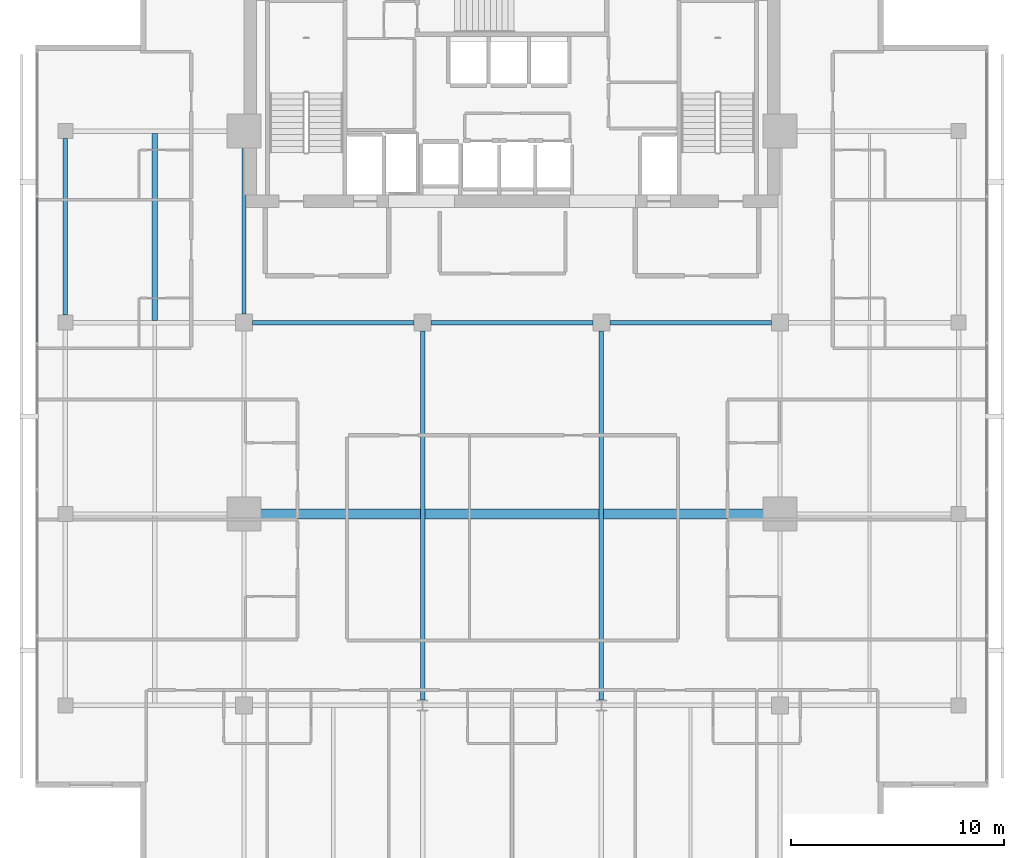
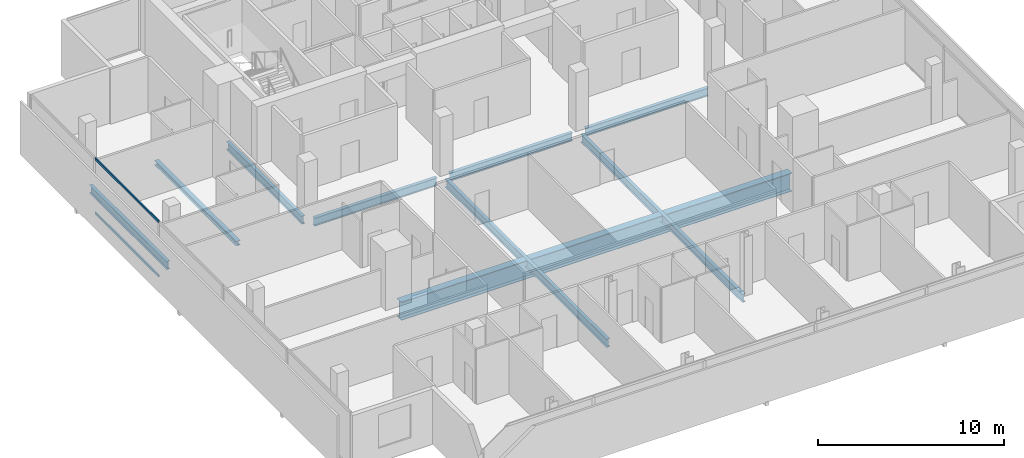
# One storey, part 9 of 25: 9 beams, 2 members, 1 element without a shape of its own.
"""IFC4 building model written with IfcOpenShell, lengths in metres."""

from ifc_helpers import new_model, si_unit, direction, frame, origin, origin_2d, place, context, subcontext, project, spatial, hollow_rectangle, i_section, extrude, material, layer, layer_set, material_profile, profile_set, type_object, element, aggregate, save


model = new_model("IFC4")

# Units and contexts
model_context = context("Model", 3, precision=1e-05, world=origin(), true_north=direction((0.0, 1.0)))
body_context = subcontext(model_context, "Body", "Model", "MODEL_VIEW")
ifc_project = project(units=[si_unit("LENGTHUNIT", "METRE"), si_unit("AREAUNIT", "SQUARE_METRE"), si_unit("VOLUMEUNIT", "CUBIC_METRE"), si_unit("PLANEANGLEUNIT", "RADIAN"), si_unit("MASSUNIT", "GRAM", prefix="KILO")], contexts=[model_context])

# Site, building, storey
site_placement = place(None, origin())
site = spatial("IfcSite", under=ifc_project, at=site_placement, CompositionType="ELEMENT")
building_placement = place(site_placement, origin())
building = spatial("IfcBuilding", under=site, at=building_placement, Name="Maruvema Waterfront Hotel and Observation Tower", CompositionType="ELEMENT")
storey_placement = place(building_placement, frame((0.0, 0.0, 247.10009765625)))
storey = spatial("IfcBuildingStorey", under=building, at=storey_placement, Name="L60", CompositionType="ELEMENT", Elevation=247.10009765625)

# Curtain wall, members
ifc_material_1 = material(Name="Anodised bronze aluminium and solar-control low-E IGU", Category="aluminium")
ifc_layer = layer(ifc_material_1, 0.159912109375, Name="Zone 3 Champagne Inner Thermal Curtain Wall System CW-04")
ifc_layer_set = layer_set([ifc_layer], Name="Anodised bronze aluminium and solar-control low-E IGU")
curtain_wall_type = type_object("IfcCurtainWallType", Name="Zone 3 Champagne Inner Thermal Curtain Wall System CW-04", PredefinedType="USERDEFINED", material=ifc_layer_set)
curtain_wall_placement = place(storey_placement, origin())
curtain_wall = element("IfcCurtainWall", 1, at=curtain_wall_placement, inside=storey, type_object=curtain_wall_type, Name="L60 Curtain Wall CW-L60-W", ObjectType="UNITISED CURTAIN WALL", PredefinedType="USERDEFINED")
ifc_material_2 = material(Name="Anodised architectural bronze aluminium", Category="aluminium")
ifc_material_profile_1 = material_profile(ifc_material_2, hollow_rectangle(XDim=0.070068359375, YDim=0.14990234375, WallThickness=0.00390625, at=origin_2d()), Name="ALU-T70x150")
ifc_profile_set_1 = profile_set([ifc_material_profile_1], Name="Anodised architectural bronze aluminium")
member_type = type_object("IfcMemberType", Name="Curtain Wall Horizontal Transom ALU-T70x150", PredefinedType="USERDEFINED", material=ifc_profile_set_1)
member_1_placement = place(storey_placement, frame((15.47998046875, 41.889892578125, 0.02978515625), z_axis=(0.0, -1.0, 0.0), x_axis=(1.0, 0.0, 0.0)))
member_1 = element("IfcMember", 2, at=member_1_placement, type_object=member_type, Name="CW-04 transom 2.1", ObjectType="TRANSOM", PredefinedType="USERDEFINED", context=body_context, shape_type="SweptSolid", body=[
    extrude(hollow_rectangle(XDim=0.070068359375, YDim=0.14990234375, WallThickness=0.00390625, at=origin_2d()), origin(), (0.0, 0.0, 1.0), 6.81982421875),
])
member_2_placement = place(storey_placement, frame((15.47998046875, 41.889892578125, 3.579833984375), z_axis=(0.0, -1.0, 0.0), x_axis=(1.0, 0.0, 0.0)))
member_2 = element("IfcMember", 3, at=member_2_placement, type_object=member_type, Name="CW-04 transom 2.2", ObjectType="TRANSOM", PredefinedType="USERDEFINED", context=body_context, shape_type="SweptSolid", body=[
    extrude(hollow_rectangle(XDim=0.070068359375, YDim=0.14990234375, WallThickness=0.00390625, at=origin_2d()), origin(), (0.0, 0.0, 1.0), 6.81982421875),
])
aggregate(curtain_wall, [member_1, member_2])

# Beams
ifc_material_3 = material(Name="Steel ASTM A572 Grade 50", Category="steel")
ifc_material_profile_2 = material_profile(ifc_material_3, i_section(OverallWidth=0.208984375, OverallDepth=0.532958984375, WebThickness=0.01025390625, FlangeThickness=0.015625, FilletRadius=0.014892578125, at=origin_2d()), Name="W530x92.0")
ifc_profile_set_2 = profile_set([ifc_material_profile_2], Name="Steel ASTM A572 Grade 50")
beam_type_1 = type_object("IfcBeamType", Name="Primary Floor Girder W530x92.0", PredefinedType="BEAM", material=ifc_profile_set_2)
beam_1_placement = place(storey_placement, frame((25.60009765625, 36.0, -0.506591796875), z_axis=(1.0, 0.0, 0.0), x_axis=(0.0, 1.0, 0.0)))
element("IfcBeam", 4, at=beam_1_placement, inside=storey, type_object=beam_type_1, Name="L60 Floor Girder EW-13", PredefinedType="BEAM", context=body_context, shape_type="SweptSolid", body=[
    extrude(i_section(OverallWidth=0.208984375, OverallDepth=0.532958984375, WebThickness=0.01025390625, FlangeThickness=0.015625, FilletRadius=0.014892578125, at=origin_2d()), origin(), (0.0, 0.0, 1.0), 7.599853515625),
])
for number, where, z_axis, x_axis, name in (
    (5, (34.0, 36.0, -0.506591796875), (1.0, 0.0, 0.0), (0.0, 1.0, 0.0), "L60 Floor Girder EW-14"),
    (6, (42.39990234375, 36.0, -0.506591796875), (1.0, 0.0, 0.0), (0.0, 1.0, 0.0), "L60 Floor Girder EW-15"),
):
    element("IfcBeam", number, at=place(storey_placement, frame(where, z_axis=z_axis, x_axis=x_axis)), inside=storey, type_object=beam_type_1, Name=name, PredefinedType="BEAM", context=body_context, shape_type="SweptSolid", body=[
        extrude(i_section(OverallWidth=0.208984375, OverallDepth=0.532958984375, WebThickness=0.01025390625, FlangeThickness=0.015625, FilletRadius=0.014892578125, at=origin_2d()), origin(), (0.0, 0.0, 1.0), 7.60009765625),
    ])
beam_2_placement = place(storey_placement, frame((16.800048828125, 36.35009765625, -0.506591796875), z_axis=(0.0, 1.0, 0.0), x_axis=(-1.0, 0.0, 0.0)))
element("IfcBeam", 7, at=beam_2_placement, inside=storey, type_object=beam_type_1, Name="L60 Floor Girder NS-03", PredefinedType="BEAM", context=body_context, shape_type="SweptSolid", body=[
    extrude(i_section(OverallWidth=0.208984375, OverallDepth=0.532958984375, WebThickness=0.01025390625, FlangeThickness=0.015625, FilletRadius=0.014892578125, at=origin_2d()), origin(), (0.0, 0.0, 1.0), 8.2998046875),
])
beam_3_placement = place(storey_placement, frame((25.199951171875, 36.39990234375, -0.506591796875), z_axis=(0.0, 1.0, 0.0), x_axis=(-1.0, 0.0, 0.0)))
element("IfcBeam", 8, at=beam_3_placement, inside=storey, type_object=beam_type_1, Name="L60 Floor Girder NS-07", PredefinedType="BEAM", context=body_context, shape_type="SweptSolid", body=[
    extrude(i_section(OverallWidth=0.208984375, OverallDepth=0.532958984375, WebThickness=0.01025390625, FlangeThickness=0.015625, FilletRadius=0.014892578125, at=origin_2d()), origin(), (0.0, 0.0, 1.0), 8.10009765625),
])
for number, where, z_axis, x_axis, name in (
    (9, (33.60009765625, 18.25, -0.506591796875), (0.0, 1.0, 0.0), (-1.0, 0.0, 0.0), "L60 Floor Girder NS-09"),
    (10, (42.0, 18.25, -0.506591796875), (0.0, 1.0, 0.0), (-1.0, 0.0, 0.0), "L60 Floor Girder NS-11"),
):
    element("IfcBeam", number, at=place(storey_placement, frame(where, z_axis=z_axis, x_axis=x_axis)), inside=storey, type_object=beam_type_1, Name=name, PredefinedType="BEAM", context=body_context, shape_type="SweptSolid", body=[
        extrude(i_section(OverallWidth=0.208984375, OverallDepth=0.532958984375, WebThickness=0.01025390625, FlangeThickness=0.015625, FilletRadius=0.014892578125, at=origin_2d()), origin(), (0.0, 0.0, 1.0), 17.35009765625),
    ])
ifc_material_4 = material(Name="Steel ASTM A572 Grade 50", Category="steel")
ifc_material_profile_3 = material_profile(ifc_material_4, i_section(OverallWidth=0.25390625, OverallDepth=0.305908203125, WebThickness=0.0087890625, FlangeThickness=0.0146484375, FilletRadius=0.014892578125, at=origin_2d()), Name="W310x79.0")
ifc_profile_set_3 = profile_set([ifc_material_profile_3], Name="Steel ASTM A572 Grade 50")
beam_type_2 = type_object("IfcBeamType", Name="Secondary Floor Joist W310x79.0", PredefinedType="JOIST", material=ifc_profile_set_3)
beam_4_placement = place(storey_placement, frame((21.0, 36.1044921875, -0.39306640625), z_axis=(0.0, 1.0, 0.0), x_axis=(-1.0, 0.0, 0.0)))
element("IfcBeam", 11, at=beam_4_placement, inside=storey, type_object=beam_type_2, Name="L60 Secondary Floor Joist JS-03", PredefinedType="JOIST", context=body_context, shape_type="SweptSolid", body=[
    extrude(i_section(OverallWidth=0.25390625, OverallDepth=0.305908203125, WebThickness=0.0087890625, FlangeThickness=0.0146484375, FilletRadius=0.014892578125, at=origin_2d()), origin(), (0.0, 0.0, 1.0), 8.791015625),
])
ifc_material_5 = material(Name="Steel ABNT NBR 7007 AR 415 (ASTM A572 Grade 50)", Category="steel")
ifc_material_profile_4 = material_profile(ifc_material_5, i_section(OverallWidth=0.449951171875, OverallDepth=1.199951171875, WebThickness=0.01904296875, FlangeThickness=0.031982421875, at=origin_2d()), Name="VS1200x366")
ifc_profile_set_4 = profile_set([ifc_material_profile_4], Name="Steel ABNT NBR 7007 AR 415 (ASTM A572 Grade 50)")
beam_type_3 = type_object("IfcBeamType", Name="Upper Setback Transfer Girder VS1200x366", PredefinedType="USERDEFINED", material=ifc_profile_set_4)
beam_5_placement = place(storey_placement, frame((25.699951171875, 27.0, -0.840087890625), z_axis=(1.0, 0.0, 0.0), x_axis=(0.0, 1.0, 0.0)))
element("IfcBeam", 12, at=beam_5_placement, inside=storey, type_object=beam_type_3, Name="L60 Floor Girder EW-10", ObjectType="TRANSFER GIRDER", PredefinedType="USERDEFINED", context=body_context, shape_type="SweptSolid", body=[
    extrude(i_section(OverallWidth=0.449951171875, OverallDepth=1.199951171875, WebThickness=0.01904296875, FlangeThickness=0.031982421875, at=origin_2d()), origin(), (0.0, 0.0, 1.0), 24.199951171875),
])

save(model, "model.ifc")
